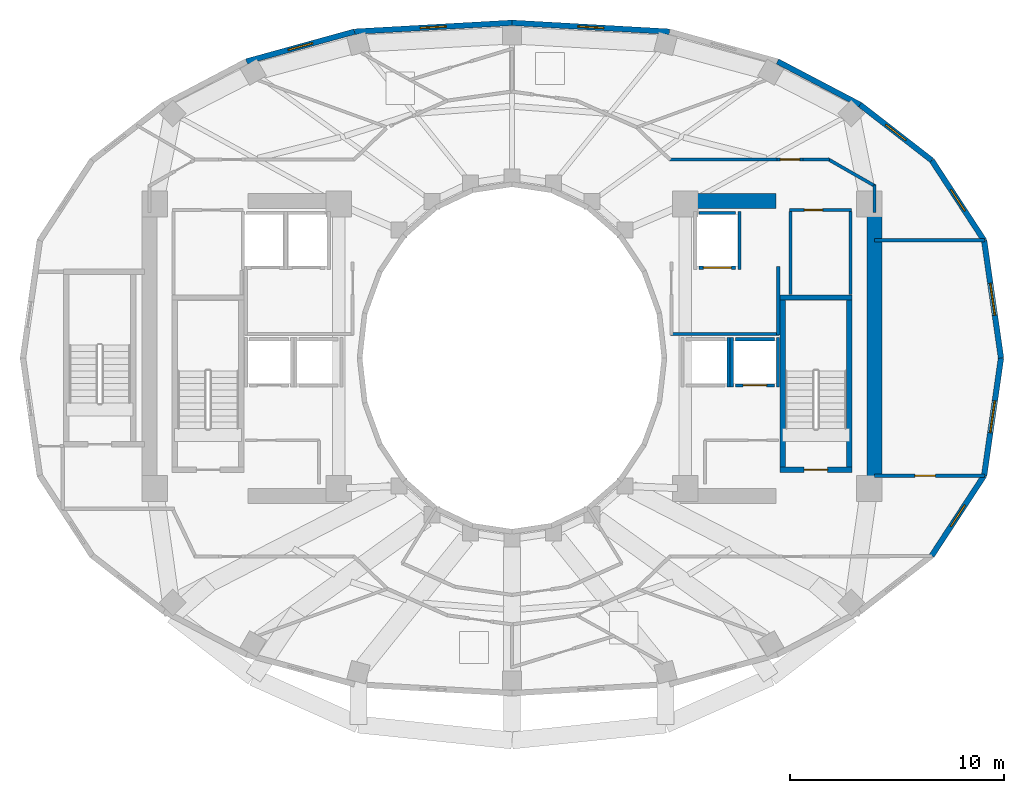
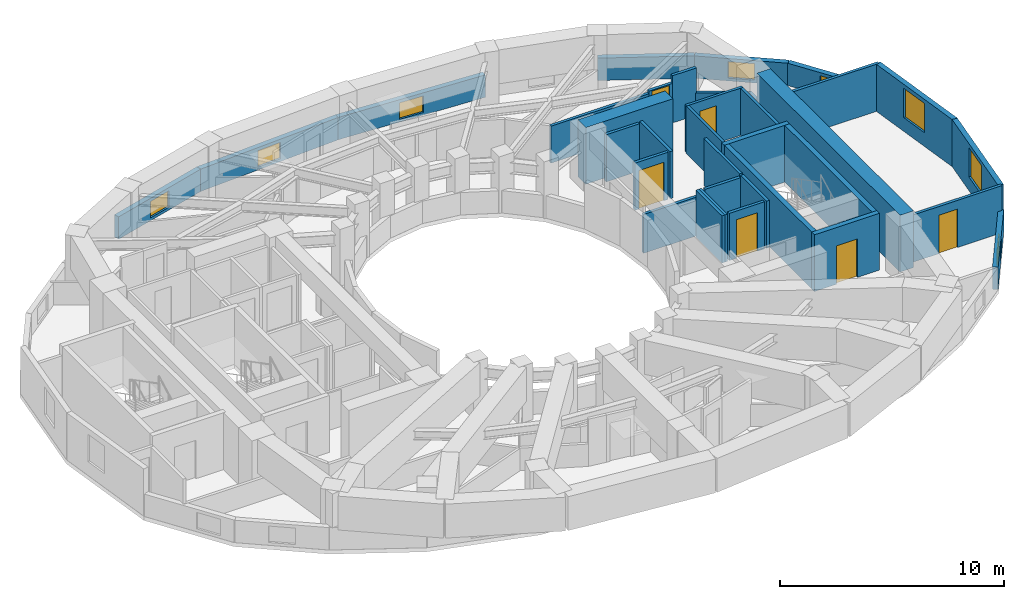
# One storey, part 6 of 9: 35 walls, 8 windows, 6 doors, 14 openings.
"""IFC4 building model written with IfcOpenShell, lengths in metres."""

from ifc_helpers import new_model, si_unit, direction, frame, frame_2d, origin, place, context, subcontext, project, spatial, rectangle, extrude, material, layer, layer_set, type_object, element, fill, save


model = new_model("IFC4")

# Units and contexts
model_context = context("Model", 3, precision=1e-05, world=origin(), true_north=direction((0.0, 1.0)))
body_context = subcontext(model_context, "Body", "Model", "MODEL_VIEW")
ifc_project = project(units=[si_unit("LENGTHUNIT", "METRE"), si_unit("AREAUNIT", "SQUARE_METRE"), si_unit("VOLUMEUNIT", "CUBIC_METRE"), si_unit("PLANEANGLEUNIT", "RADIAN"), si_unit("MASSUNIT", "GRAM", prefix="KILO")], contexts=[model_context])

# Site, building, storey
site_placement = place(None, origin())
site = spatial("IfcSite", under=ifc_project, at=site_placement, CompositionType="ELEMENT")
building_placement = place(site_placement, origin())
building = spatial("IfcBuilding", under=site, at=building_placement, Name="Solvane Sanctuary Tower", CompositionType="ELEMENT")
storey_placement = place(building_placement, frame((0.0, 0.0, 168.39990234375)))
storey = spatial("IfcBuildingStorey", under=building, at=storey_placement, Name="L51", CompositionType="ELEMENT", Elevation=168.39990234375)

# Walls
ifc_material_1 = material(Name="Concrete C60/75", Category="concrete")
ifc_layer_1 = layer(ifc_material_1, 0.699951171875, Name="Concrete C60/75")
ifc_layer_set_1 = layer_set([ifc_layer_1], Name="Concrete C60/75")
wall_type_1 = type_object("IfcWallType", Name="Wall W-CORE-700", PredefinedType="SHEAR", material=ifc_layer_set_1)
wall_1_placement = place(storey_placement, frame((48.949951171875, 17.050048828125, 0.0), z_axis=(0.0, 0.0, 1.0), x_axis=(0.0, 1.0, 0.0)))
element("IfcWall", 1, at=wall_1_placement, inside=storey, type_object=wall_type_1, Name="L51 Core Shear Wall EC-E", PredefinedType="SHEAR", context=body_context, shape_type="SweptSolid", body=[
    extrude(rectangle(XDim=12.800048828125, YDim=0.699951171875, at=frame_2d((6.39990234375, 0.0))), origin(), (0.0, 0.0, 1.0), 3.10009765625),
])
wall_2_placement = place(storey_placement, frame((39.85009765625, 30.35009765625, 0.0), z_axis=(0.0, 0.0, 1.0), x_axis=(1.0, 0.0, 0.0)))
element("IfcWall", 2, at=wall_2_placement, inside=storey, type_object=wall_type_1, Name="L51 Core Shear Wall EC-N", PredefinedType="SHEAR", context=body_context, shape_type="SweptSolid", body=[
    extrude(rectangle(XDim=4.5, YDim=0.699951171875, at=frame_2d((2.25, 0.0))), origin(), (0.0, 0.0, 1.0), 3.10009765625),
])
ifc_material_2 = material(Name="Acoustic Gypsum Partition Board")
ifc_layer_2 = layer(ifc_material_2, 0.14990234375, Name="Acoustic Gypsum Partition Board")
ifc_layer_set_2 = layer_set([ifc_layer_2], Name="Acoustic Gypsum Partition Board")
wall_type_2 = type_object("IfcWallType", Name="Wall W-CORR-150", PredefinedType="PARTITIONING", material=ifc_layer_set_2)
wall_3_placement = place(storey_placement, frame((39.39990234375, 24.1201171875, 0.0), z_axis=(0.0, 0.0, 1.0), x_axis=(1.0, 0.0, 0.0)))
element("IfcWall", 3, at=wall_3_placement, inside=storey, type_object=wall_type_2, Name="L51 East Firefighting Lobby South Wall", PredefinedType="PARTITIONING", context=body_context, shape_type="SweptSolid", body=[
    extrude(rectangle(XDim=5.080078125, YDim=0.14990234375, at=frame_2d((2.5400390625, 0.0))), origin(), (0.0, 0.0, 1.0), 2.1201171875),
])
wall_4_placement = place(storey_placement, frame((44.449951171875, 24.080078125, 0.0), z_axis=(0.0, 0.0, 1.0), x_axis=(0.0, 1.0, 0.0)))
element("IfcWall", 4, at=wall_4_placement, inside=storey, type_object=wall_type_2, Name="L51 East Firefighting Lobby East Wall", PredefinedType="PARTITIONING", context=body_context, shape_type="SweptSolid", body=[
    extrude(rectangle(XDim=3.199951171875, YDim=0.14990234375, at=frame_2d((1.60009765625, 0.0))), origin(), (0.0, 0.0, 1.0), 2.5751953125),
])

# Wall, opening, door
wall_5_placement = place(storey_placement, frame((48.949951171875, 17.4970703125, 0.0), z_axis=(0.0, 0.0, 1.0), x_axis=(1.0, 0.0, 0.0)))
wall_5 = element("IfcWall", 5, at=wall_5_placement, inside=storey, type_object=wall_type_2, Name="L51 East Shoulder South Wall", PredefinedType="PARTITIONING", context=body_context, shape_type="SweptSolid", body=[
    extrude(rectangle(XDim=5.14013671875, YDim=0.14990234375, at=frame_2d((2.570068359375, 0.0))), origin(), (0.0, 0.0, 1.0), 2.5751953125),
])
opening_1_placement = place(wall_5_placement, frame((1.888671875, 0.0, 0.0)))
opening_1 = element("IfcOpeningElement", 6, at=opening_1_placement, cuts=wall_5, Name="Opening D-L51-10", PredefinedType="OPENING", context=body_context, shape_type="SweptSolid", body=[
    extrude(rectangle(XDim=0.949951171875, YDim=2.10009765625, at=frame_2d((0.47509765625, 1.050048828125))), frame((0.0, 0.0849609375, 0.0), z_axis=(0.0, -1.0, 0.0), x_axis=(1.0, 0.0, 0.0)), (0.0, 0.0, 1.0), 0.169921875),
])
ifc_material_3 = material(Name="Engineered Tropical Hardwood", Category="wood")
door_type_1 = type_object("IfcDoorType", Name="Door D-ROOM-950", OperationType="NOTDEFINED", PredefinedType="DOOR", material=ifc_material_3)
door_1_placement = place(opening_1_placement, origin())
door_1 = element("IfcDoor", 7, at=door_1_placement, inside=storey, type_object=door_type_1, Name="L51 East Shoulder South Door", OperationType="SINGLE_SWING_RIGHT", OverallHeight=2.10009765625, OverallWidth=0.949951171875, PredefinedType="DOOR", context=body_context, shape_type="SweptSolid", body=[
    extrude(rectangle(XDim=0.949951171875, YDim=2.10009765625, at=frame_2d((0.47509765625, 1.050048828125))), frame((0.0, 0.02490234375, 0.0), z_axis=(0.0, -1.0, 0.0), x_axis=(1.0, 0.0, 0.0)), (0.0, 0.0, 1.0), 0.050048828125),
])
fill(opening_1, door_1)

# Walls
wall_6_placement = place(storey_placement, frame((48.949951171875, 28.5029296875, 0.0), z_axis=(0.0, 0.0, 1.0), x_axis=(1.0, 0.0, 0.0)))
element("IfcWall", 8, at=wall_6_placement, inside=storey, type_object=wall_type_2, Name="L51 East Shoulder North Wall", PredefinedType="PARTITIONING", context=body_context, shape_type="SweptSolid", body=[
    extrude(rectangle(XDim=5.14013671875, YDim=0.14990234375, at=frame_2d((2.570068359375, 0.0))), origin(), (0.0, 0.0, 1.0), 2.5751953125),
])
wall_7_placement = place(storey_placement, frame((48.949951171875, 29.800048828125, 0.0), z_axis=(0.0, 0.0, 1.0), x_axis=(0.0, 1.0, 0.0)))
element("IfcWall", 9, at=wall_7_placement, inside=storey, type_object=wall_type_2, Name="L51 NE Corner Closer 1", PredefinedType="PARTITIONING", context=body_context, shape_type="SweptSolid", body=[
    extrude(rectangle(XDim=1.2900390625, YDim=0.14990234375, at=frame_2d((0.64501953125, 0.0))), origin(), (0.0, 0.0, 1.0), 1.22021484375),
])
wall_8_placement = place(storey_placement, frame((39.330078125, 32.280029296875, 0.0), z_axis=(0.0, 0.0, 1.0), x_axis=(1.0, 0.0, 0.0)))
element("IfcWall", 10, at=wall_8_placement, inside=storey, type_object=wall_type_2, Name="L51 NE Corner Corridor Wall", PredefinedType="PARTITIONING", context=body_context, shape_type="SweptSolid", body=[
    extrude(rectangle(XDim=5.059814453125, YDim=0.14990234375, at=frame_2d((2.52978515625, 0.0))), origin(), (0.0, 0.0, 1.0), 2.01904296875),
])

# Wall, opening, door
wall_9_placement = place(storey_placement, frame((44.389892578125, 32.280029296875, 0.0), z_axis=(0.0, 0.0, 1.0), x_axis=(1.0, 0.0, 0.0)))
wall_9 = element("IfcWall", 11, at=wall_9_placement, inside=storey, type_object=wall_type_2, Name="L51 NE Corner Corridor Wall", PredefinedType="PARTITIONING", context=body_context, shape_type="SweptSolid", body=[
    extrude(rectangle(XDim=1.22021484375, YDim=0.14990234375, at=frame_2d((0.610107421875, 0.0))), origin(), (0.0, 0.0, 1.0), 2.16015625),
])
opening_2_placement = place(wall_9_placement, frame((0.159912109375, 0.0, 0.0)))
opening_2 = element("IfcOpeningElement", 12, at=opening_2_placement, cuts=wall_9, Name="Opening D-L51-11", PredefinedType="OPENING", context=body_context, shape_type="SweptSolid", body=[
    extrude(rectangle(XDim=0.89990234375, YDim=2.10009765625, at=frame_2d((0.449951171875, 1.050048828125))), frame((0.0, 0.0849609375, 0.0), z_axis=(0.0, -1.0, 0.0), x_axis=(1.0, 0.0, 0.0)), (0.0, 0.0, 1.0), 0.169921875),
])
door_type_2 = type_object("IfcDoorType", Name="Door D-WET-900", OperationType="NOTDEFINED", PredefinedType="DOOR", material=ifc_material_3)
door_2_placement = place(opening_2_placement, origin())
door_2 = element("IfcDoor", 13, at=door_2_placement, inside=storey, type_object=door_type_2, Name="L51 NE Corner Salon Door", OperationType="SINGLE_SWING_LEFT", OverallHeight=2.10009765625, OverallWidth=0.89990234375, PredefinedType="DOOR", context=body_context, shape_type="SweptSolid", body=[
    extrude(rectangle(XDim=0.89990234375, YDim=2.10009765625, at=frame_2d((0.449951171875, 1.050048828125))), frame((0.0, 0.02490234375, 0.0), z_axis=(0.0, -1.0, 0.0), x_axis=(1.0, 0.0, 0.0)), (0.0, 0.0, 1.0), 0.050048828125),
])
fill(opening_2, door_2)

# Walls
wall_10_placement = place(storey_placement, frame((45.610107421875, 32.280029296875, 0.0), z_axis=(0.0, 0.0, 1.0), x_axis=(1.0, 0.0, 0.0)))
element("IfcWall", 14, at=wall_10_placement, inside=storey, type_object=wall_type_2, Name="L51 NE Corner Corridor Wall", PredefinedType="PARTITIONING", context=body_context, shape_type="SweptSolid", body=[
    extrude(rectangle(XDim=1.239990234375, YDim=0.14990234375, at=frame_2d((0.6201171875, 0.0))), origin(), (0.0, 0.0, 1.0), 2.5751953125),
])
wall_11_placement = place(storey_placement, frame((46.756591796875, 32.3046875, 0.0), z_axis=(0.0, 0.0, 1.0), x_axis=(0.867991349648, -0.496579315857, 0.0)))
element("IfcWall", 15, at=wall_11_placement, inside=storey, type_object=wall_type_2, Name="L51 NE Corner Wing Wall", PredefinedType="PARTITIONING", context=body_context, shape_type="SweptSolid", body=[
    extrude(rectangle(XDim=2.56689453125, YDim=0.14990234375, at=frame_2d((1.283447265625, 0.0))), origin(), (0.0, 0.0, 1.0), 1.22021484375),
])

# Wall, opening, window
ifc_material_4 = material(Name="Precast concrete C40/50", Category="concrete")
ifc_layer_3 = layer(ifc_material_4, 0.260009765625, Name="Precast concrete C40/50")
ifc_layer_set_3 = layer_set([ifc_layer_3], Name="Precast concrete C40/50")
wall_type_3 = type_object("IfcWallType", Name="Wall W-EXT-250", PredefinedType="STANDARD", material=ifc_layer_set_3)
wall_12_placement = place(storey_placement, frame((54.860107421875, 23.0, 0.0), z_axis=(0.0, 0.0, 1.0), x_axis=(-0.142227632286, 0.989833976288, 0.0)))
wall_12 = element("IfcWall", 16, at=wall_12_placement, inside=storey, type_object=wall_type_3, Name="L51 Ceramic-Printed Facade Wall 00", PredefinedType="STANDARD", context=body_context, shape_type="SweptSolid", body=[
    extrude(rectangle(XDim=5.552978515625, YDim=0.260009765625, at=frame_2d((2.7763671875, 0.0))), origin(), (0.0, 0.0, 1.0), 2.570068359375),
])
opening_3_placement = place(wall_12_placement, frame((2.026611328125, 0.0, 0.75)))
opening_3 = element("IfcOpeningElement", 17, at=opening_3_placement, cuts=wall_12, Name="Opening WN-OPER-1500", PredefinedType="OPENING", context=body_context, shape_type="SweptSolid", body=[
    extrude(rectangle(XDim=1.5, YDim=1.60009765625, at=frame_2d((0.75, 0.800048828125))), frame((0.0, 0.139892578125, 0.0), z_axis=(0.0, -1.0, 0.0), x_axis=(1.0, 0.0, 0.0)), (0.0, 0.0, 1.0), 0.280029296875),
])
ifc_material_5 = material(Name="Dark Ceramic-Fritted Low-E Glass", Category="glass")
window_type_1 = type_object("IfcWindowType", Name="Window WN-OPER-1500", PartitioningType="SINGLE_PANEL", PredefinedType="WINDOW", material=ifc_material_5)
window_1_placement = place(opening_3_placement, origin())
window_1 = element("IfcWindow", 18, at=window_1_placement, inside=storey, type_object=window_type_1, Name="L51 Operable Facade Window 00", OverallHeight=1.60009765625, OverallWidth=1.5, PartitioningType="SINGLE_PANEL", PredefinedType="WINDOW", context=body_context, shape_type="SweptSolid", body=[
    extrude(rectangle(XDim=1.5, YDim=1.60009765625, at=frame_2d((0.75, 0.800048828125))), frame((0.0, 0.030029296875, 0.0), z_axis=(0.0, -1.0, 0.0), x_axis=(1.0, 0.0, 0.0)), (0.0, 0.0, 1.0), 0.06005859375),
])
fill(opening_3, window_1)

wall_13_placement = place(storey_placement, frame((54.0703125, 28.49658203125, 0.0), z_axis=(0.0, 0.0, 1.0), x_axis=(-0.547456494366, 0.836834145322, 0.0)))
wall_13 = element("IfcWall", 19, at=wall_13_placement, inside=storey, type_object=wall_type_3, Name="L51 Ceramic-Printed Facade Wall 01", PredefinedType="STANDARD", context=body_context, shape_type="SweptSolid", body=[
    extrude(rectangle(XDim=4.477294921875, YDim=0.260009765625, at=frame_2d((2.23876953125, 0.0))), origin(), (0.0, 0.0, 1.0), 1.22021484375),
])
opening_4_placement = place(wall_13_placement, frame((1.638671875, 0.0, 0.14990234375)))
opening_4 = element("IfcOpeningElement", 20, at=opening_4_placement, cuts=wall_13, Name="Opening WN-OPER-1200", PredefinedType="OPENING", context=body_context, shape_type="SweptSolid", body=[
    extrude(rectangle(XDim=1.199951171875, YDim=0.89990234375, at=frame_2d((0.60009765625, 0.449951171875))), frame((0.0, 0.139892578125, 0.0), z_axis=(0.0, -1.0, 0.0), x_axis=(1.0, 0.0, 0.0)), (0.0, 0.0, 1.0), 0.280029296875),
])
window_type_2 = type_object("IfcWindowType", Name="Window WN-OPER-1200", PartitioningType="SINGLE_PANEL", PredefinedType="WINDOW", material=ifc_material_5)
window_2_placement = place(opening_4_placement, origin())
window_2 = element("IfcWindow", 21, at=window_2_placement, inside=storey, type_object=window_type_2, Name="L51 Operable Facade Window 01", OverallHeight=0.89990234375, OverallWidth=1.199951171875, PartitioningType="SINGLE_PANEL", PredefinedType="WINDOW", context=body_context, shape_type="SweptSolid", body=[
    extrude(rectangle(XDim=1.199951171875, YDim=0.89990234375, at=frame_2d((0.60009765625, 0.449951171875))), frame((0.0, 0.030029296875, 0.0), z_axis=(0.0, -1.0, 0.0), x_axis=(1.0, 0.0, 0.0)), (0.0, 0.0, 1.0), 0.06005859375),
])
fill(opening_4, window_2)

wall_14_placement = place(storey_placement, frame((51.619140625, 32.243408203125, 0.0), z_axis=(0.0, 0.0, 1.0), x_axis=(-0.790185650662, 0.612867552973, 0.0)))
wall_14 = element("IfcWall", 22, at=wall_14_placement, inside=storey, type_object=wall_type_3, Name="L51 Ceramic-Printed Facade Wall 02", PredefinedType="STANDARD", context=body_context, shape_type="SweptSolid", body=[
    extrude(rectangle(XDim=4.2392578125, YDim=0.260009765625, at=frame_2d((2.11962890625, 0.0))), origin(), (0.0, 0.0, 1.0), 1.22021484375),
])
opening_5_placement = place(wall_14_placement, frame((1.51953125, 0.0, 0.14990234375)))
opening_5 = element("IfcOpeningElement", 23, at=opening_5_placement, cuts=wall_14, Name="Opening WN-OPER-1200", PredefinedType="OPENING", context=body_context, shape_type="SweptSolid", body=[
    extrude(rectangle(XDim=1.199951171875, YDim=0.89990234375, at=frame_2d((0.60009765625, 0.449951171875))), frame((0.0, 0.139892578125, 0.0), z_axis=(0.0, -1.0, 0.0), x_axis=(1.0, 0.0, 0.0)), (0.0, 0.0, 1.0), 0.280029296875),
])
window_3_placement = place(opening_5_placement, origin())
window_3 = element("IfcWindow", 24, at=window_3_placement, inside=storey, type_object=window_type_2, Name="L51 Operable Facade Window 02", OverallHeight=0.89990234375, OverallWidth=1.199951171875, PartitioningType="SINGLE_PANEL", PredefinedType="WINDOW", context=body_context, shape_type="SweptSolid", body=[
    extrude(rectangle(XDim=1.199951171875, YDim=0.89990234375, at=frame_2d((0.60009765625, 0.449951171875))), frame((0.0, 0.030029296875, 0.0), z_axis=(0.0, -1.0, 0.0), x_axis=(1.0, 0.0, 0.0)), (0.0, 0.0, 1.0), 0.06005859375),
])
fill(opening_5, window_3)

# Wall
wall_15_placement = place(storey_placement, frame((48.269287109375, 34.841552734375, 0.0), z_axis=(0.0, 0.0, 1.0), x_axis=(-0.885660265226, 0.464333818065, 0.0)))
element("IfcWall", 25, at=wall_15_placement, inside=storey, type_object=wall_type_3, Name="L51 Ceramic-Printed Facade Wall 03", PredefinedType="STANDARD", context=body_context, shape_type="SweptSolid", body=[
    extrude(rectangle(XDim=4.35400390625, YDim=0.260009765625, at=frame_2d((2.177001953125, 0.0))), origin(), (0.0, 0.0, 1.0), 1.22021484375),
])

# Wall, opening, window
wall_16_placement = place(storey_placement, frame((39.365234375, 38.256591796875, 0.0), z_axis=(0.0, 0.0, 1.0), x_axis=(-0.998417906562, 0.056228852534, 0.0)))
wall_16 = element("IfcWall", 26, at=wall_16_placement, inside=storey, type_object=wall_type_3, Name="L51 Ceramic-Printed Facade Wall 05", PredefinedType="STANDARD", context=body_context, shape_type="SweptSolid", body=[
    extrude(rectangle(XDim=7.376953125, YDim=0.260009765625, at=frame_2d((3.6884765625, 0.0))), origin(), (0.0, 0.0, 1.0), 1.22021484375),
])
opening_6_placement = place(wall_16_placement, frame((3.08837890625, 0.0, 0.14990234375)))
opening_6 = element("IfcOpeningElement", 27, at=opening_6_placement, cuts=wall_16, Name="Opening WN-OPER-1200", PredefinedType="OPENING", context=body_context, shape_type="SweptSolid", body=[
    extrude(rectangle(XDim=1.199951171875, YDim=0.89990234375, at=frame_2d((0.60009765625, 0.449951171875))), frame((0.0, 0.139892578125, 0.0), z_axis=(0.0, -1.0, 0.0), x_axis=(1.0, 0.0, 0.0)), (0.0, 0.0, 1.0), 0.280029296875),
])
window_4_placement = place(opening_6_placement, origin())
window_4 = element("IfcWindow", 28, at=window_4_placement, inside=storey, type_object=window_type_2, Name="L51 Operable Facade Window 05", OverallHeight=0.89990234375, OverallWidth=1.199951171875, PartitioningType="SINGLE_PANEL", PredefinedType="WINDOW", context=body_context, shape_type="SweptSolid", body=[
    extrude(rectangle(XDim=1.199951171875, YDim=0.89990234375, at=frame_2d((0.60009765625, 0.449951171875))), frame((0.0, 0.030029296875, 0.0), z_axis=(0.0, -1.0, 0.0), x_axis=(1.0, 0.0, 0.0)), (0.0, 0.0, 1.0), 0.06005859375),
])
fill(opening_6, window_4)

wall_17_placement = place(storey_placement, frame((32.0, 38.67138671875, 0.0), z_axis=(0.0, 0.0, 1.0), x_axis=(-0.998417906562, -0.056228852534, 0.0)))
wall_17 = element("IfcWall", 29, at=wall_17_placement, inside=storey, type_object=wall_type_3, Name="L51 Ceramic-Printed Facade Wall 06", PredefinedType="STANDARD", context=body_context, shape_type="SweptSolid", body=[
    extrude(rectangle(XDim=7.376953125, YDim=0.260009765625, at=frame_2d((3.6884765625, 0.0))), origin(), (0.0, 0.0, 1.0), 1.22021484375),
])
opening_7_placement = place(wall_17_placement, frame((3.08837890625, 0.0, 0.14990234375)))
opening_7 = element("IfcOpeningElement", 30, at=opening_7_placement, cuts=wall_17, Name="Opening WN-OPER-1200", PredefinedType="OPENING", context=body_context, shape_type="SweptSolid", body=[
    extrude(rectangle(XDim=1.199951171875, YDim=0.89990234375, at=frame_2d((0.60009765625, 0.449951171875))), frame((0.0, 0.139892578125, 0.0), z_axis=(0.0, -1.0, 0.0), x_axis=(1.0, 0.0, 0.0)), (0.0, 0.0, 1.0), 0.280029296875),
])
window_5_placement = place(opening_7_placement, origin())
window_5 = element("IfcWindow", 31, at=window_5_placement, inside=storey, type_object=window_type_2, Name="L51 Operable Facade Window 06", OverallHeight=0.89990234375, OverallWidth=1.199951171875, PartitioningType="SINGLE_PANEL", PredefinedType="WINDOW", context=body_context, shape_type="SweptSolid", body=[
    extrude(rectangle(XDim=1.199951171875, YDim=0.89990234375, at=frame_2d((0.60009765625, 0.449951171875))), frame((0.0, 0.030029296875, 0.0), z_axis=(0.0, -1.0, 0.0), x_axis=(1.0, 0.0, 0.0)), (0.0, 0.0, 1.0), 0.06005859375),
])
fill(opening_7, window_5)

wall_18_placement = place(storey_placement, frame((24.634765625, 38.256591796875, 0.0), z_axis=(0.0, 0.0, 1.0), x_axis=(-0.963953455704, -0.26607092144, 0.0)))
wall_18 = element("IfcWall", 32, at=wall_18_placement, inside=storey, type_object=wall_type_3, Name="L51 Ceramic-Printed Facade Wall 07", PredefinedType="STANDARD", context=body_context, shape_type="SweptSolid", body=[
    extrude(rectangle(XDim=5.236572265625, YDim=0.260009765625, at=frame_2d((2.6181640625, 0.0))), origin(), (0.0, 0.0, 1.0), 1.22021484375),
])
opening_8_placement = place(wall_18_placement, frame((2.018310546875, 0.0, 0.14990234375)))
opening_8 = element("IfcOpeningElement", 33, at=opening_8_placement, cuts=wall_18, Name="Opening WN-OPER-1200", PredefinedType="OPENING", context=body_context, shape_type="SweptSolid", body=[
    extrude(rectangle(XDim=1.199951171875, YDim=0.89990234375, at=frame_2d((0.60009765625, 0.449951171875))), frame((0.0, 0.139892578125, 0.0), z_axis=(0.0, -1.0, 0.0), x_axis=(1.0, 0.0, 0.0)), (0.0, 0.0, 1.0), 0.280029296875),
])
window_6_placement = place(opening_8_placement, origin())
window_6 = element("IfcWindow", 34, at=window_6_placement, inside=storey, type_object=window_type_2, Name="L51 Operable Facade Window 07", OverallHeight=0.89990234375, OverallWidth=1.199951171875, PartitioningType="SINGLE_PANEL", PredefinedType="WINDOW", context=body_context, shape_type="SweptSolid", body=[
    extrude(rectangle(XDim=1.199951171875, YDim=0.89990234375, at=frame_2d((0.60009765625, 0.449951171875))), frame((0.0, 0.030029296875, 0.0), z_axis=(0.0, -1.0, 0.0), x_axis=(1.0, 0.0, 0.0)), (0.0, 0.0, 1.0), 0.06005859375),
])
fill(opening_8, window_6)

wall_19_placement = place(storey_placement, frame((51.619140625, 13.756591796875, 0.0), z_axis=(0.0, 0.0, 1.0), x_axis=(0.547456494366, 0.836834145322, 0.0)))
wall_19 = element("IfcWall", 35, at=wall_19_placement, inside=storey, type_object=wall_type_3, Name="L51 Ceramic-Printed Facade Wall 22", PredefinedType="STANDARD", context=body_context, shape_type="SweptSolid", body=[
    extrude(rectangle(XDim=4.477294921875, YDim=0.260009765625, at=frame_2d((2.23876953125, 0.0))), origin(), (0.0, 0.0, 1.0), 1.22021484375),
])
opening_9_placement = place(wall_19_placement, frame((1.638671875, 0.0, 0.14990234375)))
opening_9 = element("IfcOpeningElement", 36, at=opening_9_placement, cuts=wall_19, Name="Opening WN-OPER-1200", PredefinedType="OPENING", context=body_context, shape_type="SweptSolid", body=[
    extrude(rectangle(XDim=1.199951171875, YDim=0.89990234375, at=frame_2d((0.60009765625, 0.449951171875))), frame((0.0, 0.139892578125, 0.0), z_axis=(0.0, -1.0, 0.0), x_axis=(1.0, 0.0, 0.0)), (0.0, 0.0, 1.0), 0.280029296875),
])
window_7_placement = place(opening_9_placement, origin())
window_7 = element("IfcWindow", 37, at=window_7_placement, inside=storey, type_object=window_type_2, Name="L51 Operable Facade Window 22", OverallHeight=0.89990234375, OverallWidth=1.199951171875, PartitioningType="SINGLE_PANEL", PredefinedType="WINDOW", context=body_context, shape_type="SweptSolid", body=[
    extrude(rectangle(XDim=1.199951171875, YDim=0.89990234375, at=frame_2d((0.60009765625, 0.449951171875))), frame((0.0, 0.030029296875, 0.0), z_axis=(0.0, -1.0, 0.0), x_axis=(1.0, 0.0, 0.0)), (0.0, 0.0, 1.0), 0.06005859375),
])
fill(opening_9, window_7)

wall_20_placement = place(storey_placement, frame((54.0703125, 17.50341796875, 0.0), z_axis=(0.0, 0.0, 1.0), x_axis=(0.142227632286, 0.989833976288, 0.0)))
wall_20 = element("IfcWall", 38, at=wall_20_placement, inside=storey, type_object=wall_type_3, Name="L51 Ceramic-Printed Facade Wall 23", PredefinedType="STANDARD", context=body_context, shape_type="SweptSolid", body=[
    extrude(rectangle(XDim=5.552978515625, YDim=0.260009765625, at=frame_2d((2.7763671875, 0.0))), origin(), (0.0, 0.0, 1.0), 2.570068359375),
])
opening_10_placement = place(wall_20_placement, frame((2.026611328125, 0.0, 0.75)))
opening_10 = element("IfcOpeningElement", 39, at=opening_10_placement, cuts=wall_20, Name="Opening WN-OPER-1500", PredefinedType="OPENING", context=body_context, shape_type="SweptSolid", body=[
    extrude(rectangle(XDim=1.5, YDim=1.60009765625, at=frame_2d((0.75, 0.800048828125))), frame((0.0, 0.139892578125, 0.0), z_axis=(0.0, -1.0, 0.0), x_axis=(1.0, 0.0, 0.0)), (0.0, 0.0, 1.0), 0.280029296875),
])
window_8_placement = place(opening_10_placement, origin())
window_8 = element("IfcWindow", 40, at=window_8_placement, inside=storey, type_object=window_type_1, Name="L51 Operable Facade Window 23", OverallHeight=1.60009765625, OverallWidth=1.5, PartitioningType="SINGLE_PANEL", PredefinedType="WINDOW", context=body_context, shape_type="SweptSolid", body=[
    extrude(rectangle(XDim=1.5, YDim=1.60009765625, at=frame_2d((0.75, 0.800048828125))), frame((0.0, 0.030029296875, 0.0), z_axis=(0.0, -1.0, 0.0), x_axis=(1.0, 0.0, 0.0)), (0.0, 0.0, 1.0), 0.06005859375),
])
fill(opening_10, window_8)

# Wall, opening, door
ifc_material_6 = material(Name="Concrete C50/60", Category="concrete")
ifc_layer_4 = layer(ifc_material_6, 0.14990234375, Name="Concrete C50/60")
ifc_layer_set_4 = layer_set([ifc_layer_4], Name="Concrete C50/60")
wall_type_4 = type_object("IfcWallType", Name="Wall W-SHAFT-150", PredefinedType="SOLIDWALL", material=ifc_layer_set_4)
wall_21_placement = place(storey_placement, frame((42.43994140625, 21.719970703125, 0.0), z_axis=(0.0, 0.0, 1.0), x_axis=(1.0, 0.0, 0.0)))
wall_21 = element("IfcWall", 41, at=wall_21_placement, inside=storey, type_object=wall_type_4, Name="L51 PM-2 Lift Shaft Wall F", PredefinedType="SOLIDWALL", context=body_context, shape_type="SweptSolid", body=[
    extrude(rectangle(XDim=1.820068359375, YDim=0.14990234375, at=frame_2d((0.91015625, 0.0))), origin(), (0.0, 0.0, 1.0), 2.5751953125),
])
opening_11_placement = place(wall_21_placement, frame((0.360107421875, 0.0, 0.0)))
opening_11 = element("IfcOpeningElement", 42, at=opening_11_placement, cuts=wall_21, Name="Opening LD-L51-02", PredefinedType="OPENING", context=body_context, shape_type="SweptSolid", body=[
    extrude(rectangle(XDim=1.10009765625, YDim=2.10009765625, at=frame_2d((0.550048828125, 1.050048828125))), frame((0.0, 0.0849609375, 0.0), z_axis=(0.0, -1.0, 0.0), x_axis=(1.0, 0.0, 0.0)), (0.0, 0.0, 1.0), 0.169921875),
])
ifc_material_7 = material(Name="Architectural Stainless Steel 316", Category="steel")
door_type_3 = type_object("IfcDoorType", Name="Door LD-PASS-1100", OperationType="NOTDEFINED", PredefinedType="DOOR", material=ifc_material_7)
door_3_placement = place(opening_11_placement, origin())
door_3 = element("IfcDoor", 43, at=door_3_placement, inside=storey, type_object=door_type_3, Name="L51 PM-2 Lift Landing Door", OperationType="DOUBLE_DOOR_SLIDING", OverallHeight=2.10009765625, OverallWidth=1.10009765625, PredefinedType="DOOR", context=body_context, shape_type="SweptSolid", body=[
    extrude(rectangle(XDim=1.10009765625, YDim=2.10009765625, at=frame_2d((0.550048828125, 1.050048828125))), frame((0.0, 0.02490234375, 0.0), z_axis=(0.0, -1.0, 0.0), x_axis=(1.0, 0.0, 0.0)), (0.0, 0.0, 1.0), 0.050048828125),
])
fill(opening_11, door_3)

# Walls
wall_22_placement = place(storey_placement, frame((42.43994140625, 23.8798828125, 0.0), z_axis=(0.0, 0.0, 1.0), x_axis=(1.0, 0.0, 0.0)))
element("IfcWall", 44, at=wall_22_placement, inside=storey, type_object=wall_type_4, Name="L51 PM-2 Lift Shaft Wall B", PredefinedType="SOLIDWALL", context=body_context, shape_type="SweptSolid", body=[
    extrude(rectangle(XDim=1.820068359375, YDim=0.14990234375, at=frame_2d((0.91015625, 0.0))), origin(), (0.0, 0.0, 1.0), 2.5751953125),
])
for number, where, z_axis, x_axis, name in (
    (45, (42.27001953125, 21.639892578125, 0.0), (0.0, 0.0, 1.0), (0.0, 1.0, 0.0), "L51 PM-2 Lift Shaft Wall S1"),
    (46, (44.429931640625, 21.639892578125, 0.0), (0.0, 0.0, 1.0), (0.0, 1.0, 0.0), "L51 PM-2 Lift Shaft Wall S2"),
    (47, (42.1298828125, 21.639892578125, 0.0), (0.0, 0.0, 1.0), (0.0, 1.0, 0.0), "L51 PH-2 Lift Shaft Wall S2"),
):
    element("IfcWall", number, at=place(storey_placement, frame(where, z_axis=z_axis, x_axis=x_axis)), inside=storey, type_object=wall_type_4, Name=name, PredefinedType="SOLIDWALL", context=body_context, shape_type="SweptSolid", body=[
        extrude(rectangle(XDim=2.320068359375, YDim=0.14990234375, at=frame_2d((1.16015625, 0.0))), origin(), (0.0, 0.0, 1.0), 2.5751953125),
    ])

# Wall, opening, door
wall_23_placement = place(storey_placement, frame((40.739990234375, 27.219970703125, 0.0), z_axis=(0.0, 0.0, 1.0), x_axis=(1.0, 0.0, 0.0)))
wall_23 = element("IfcWall", 48, at=wall_23_placement, inside=storey, type_object=wall_type_4, Name="L51 FFL-2 Lift Shaft Wall F", PredefinedType="SOLIDWALL", context=body_context, shape_type="SweptSolid", body=[
    extrude(rectangle(XDim=1.719970703125, YDim=0.14990234375, at=frame_2d((0.85986328125, 0.0))), origin(), (0.0, 0.0, 1.0), 2.5751953125),
])
opening_12_placement = place(wall_23_placement, frame((0.2099609375, 0.0, 0.0)))
opening_12 = element("IfcOpeningElement", 49, at=opening_12_placement, cuts=wall_23, Name="Opening LD-L51-05", PredefinedType="OPENING", context=body_context, shape_type="SweptSolid", body=[
    extrude(rectangle(XDim=1.300048828125, YDim=2.10009765625, at=frame_2d((0.64990234375, 1.050048828125))), frame((0.0, 0.0849609375, 0.0), z_axis=(0.0, -1.0, 0.0), x_axis=(1.0, 0.0, 0.0)), (0.0, 0.0, 1.0), 0.169921875),
])
door_type_4 = type_object("IfcDoorType", Name="Door LD-FFL-1300", OperationType="NOTDEFINED", PredefinedType="DOOR", material=ifc_material_7)
door_4_placement = place(opening_12_placement, origin())
door_4 = element("IfcDoor", 50, at=door_4_placement, inside=storey, type_object=door_type_4, Name="L51 FFL-2 Lift Landing Door", OperationType="DOUBLE_DOOR_SLIDING", OverallHeight=2.10009765625, OverallWidth=1.300048828125, PredefinedType="DOOR", context=body_context, shape_type="SweptSolid", body=[
    extrude(rectangle(XDim=1.300048828125, YDim=2.10009765625, at=frame_2d((0.64990234375, 1.050048828125))), frame((0.0, 0.02490234375, 0.0), z_axis=(0.0, -1.0, 0.0), x_axis=(1.0, 0.0, 0.0)), (0.0, 0.0, 1.0), 0.050048828125),
])
fill(opening_12, door_4)

# Walls
wall_24_placement = place(storey_placement, frame((40.739990234375, 29.780029296875, 0.0), z_axis=(0.0, 0.0, 1.0), x_axis=(1.0, 0.0, 0.0)))
element("IfcWall", 51, at=wall_24_placement, inside=storey, type_object=wall_type_4, Name="L51 FFL-2 Lift Shaft Wall B", PredefinedType="SOLIDWALL", context=body_context, shape_type="SweptSolid", body=[
    extrude(rectangle(XDim=1.719970703125, YDim=0.14990234375, at=frame_2d((0.85986328125, 0.0))), origin(), (0.0, 0.0, 1.0), 2.5751953125),
])
wall_25_placement = place(storey_placement, frame((42.6298828125, 27.139892578125, 0.0), z_axis=(0.0, 0.0, 1.0), x_axis=(0.0, 1.0, 0.0)))
element("IfcWall", 52, at=wall_25_placement, inside=storey, type_object=wall_type_4, Name="L51 FFL-2 Lift Shaft Wall S2", PredefinedType="SOLIDWALL", context=body_context, shape_type="SweptSolid", body=[
    extrude(rectangle(XDim=2.72021484375, YDim=0.14990234375, at=frame_2d((1.360107421875, 0.0))), origin(), (0.0, 0.0, 1.0), 2.5751953125),
])

# Wall, opening, door
ifc_layer_5 = layer(ifc_material_6, 0.25, Name="Concrete C50/60")
ifc_layer_set_5 = layer_set([ifc_layer_5], Name="Concrete C50/60")
wall_type_5 = type_object("IfcWallType", Name="Wall W-SHAFT-250", PredefinedType="SOLIDWALL", material=ifc_layer_set_5)
wall_26_placement = place(storey_placement, frame((44.52490234375, 17.77001953125, 0.0), z_axis=(0.0, 0.0, 1.0), x_axis=(1.0, 0.0, 0.0)))
wall_26 = element("IfcWall", 53, at=wall_26_placement, inside=storey, type_object=wall_type_5, Name="L51 ST-2 Load-Bearing Shaft Wall S", PredefinedType="SOLIDWALL", context=body_context, shape_type="SweptSolid", body=[
    extrude(rectangle(XDim=3.3701171875, YDim=0.25, at=frame_2d((1.68505859375, 0.0))), origin(), (0.0, 0.0, 1.0), 3.10009765625),
])
opening_13_placement = place(wall_26_placement, frame((1.135009765625, 0.0, 0.0)))
opening_13 = element("IfcOpeningElement", 54, at=opening_13_placement, cuts=wall_26, Name="Opening D-L51-02", PredefinedType="OPENING", context=body_context, shape_type="SweptSolid", body=[
    extrude(rectangle(XDim=1.10009765625, YDim=2.10009765625, at=frame_2d((0.550048828125, 1.050048828125))), frame((0.0, 0.135009765625, 0.0), z_axis=(0.0, -1.0, 0.0), x_axis=(1.0, 0.0, 0.0)), (0.0, 0.0, 1.0), 0.27001953125),
])
door_type_5 = type_object("IfcDoorType", Name="Door D-STAIR", OperationType="NOTDEFINED", PredefinedType="DOOR", material=ifc_material_7)
door_5_placement = place(opening_13_placement, origin())
door_5 = element("IfcDoor", 55, at=door_5_placement, inside=storey, type_object=door_type_5, Name="L51 ST-2 Exit Stair Fire Door", OperationType="SINGLE_SWING_RIGHT", OverallHeight=2.10009765625, OverallWidth=1.10009765625, PredefinedType="DOOR", context=body_context, shape_type="SweptSolid", body=[
    extrude(rectangle(XDim=1.10009765625, YDim=2.10009765625, at=frame_2d((0.550048828125, 1.050048828125))), frame((0.0, 0.02490234375, 0.0), z_axis=(0.0, -1.0, 0.0), x_axis=(1.0, 0.0, 0.0)), (0.0, 0.0, 1.0), 0.050048828125),
])
fill(opening_13, door_5)

# Walls
wall_27_placement = place(storey_placement, frame((44.52490234375, 25.830078125, 0.0), z_axis=(0.0, 0.0, 1.0), x_axis=(1.0, 0.0, 0.0)))
element("IfcWall", 56, at=wall_27_placement, inside=storey, type_object=wall_type_5, Name="L51 ST-2 Load-Bearing Shaft Wall N", PredefinedType="SOLIDWALL", context=body_context, shape_type="SweptSolid", body=[
    extrude(rectangle(XDim=3.3701171875, YDim=0.25, at=frame_2d((1.68505859375, 0.0))), origin(), (0.0, 0.0, 1.0), 3.10009765625),
])
for number, where, z_axis, x_axis, name in (
    (57, (44.64990234375, 17.89501953125, 0.0), (0.0, 0.0, 1.0), (0.0, 1.0, 0.0), "L51 ST-2 Load-Bearing Shaft Wall W"),
    (58, (47.77001953125, 17.89501953125, 0.0), (0.0, 0.0, 1.0), (0.0, 1.0, 0.0), "L51 ST-2 Load-Bearing Shaft Wall E"),
):
    element("IfcWall", number, at=place(storey_placement, frame(where, z_axis=z_axis, x_axis=x_axis)), inside=storey, type_object=wall_type_5, Name=name, PredefinedType="SOLIDWALL", context=body_context, shape_type="SweptSolid", body=[
        extrude(rectangle(XDim=7.81005859375, YDim=0.25, at=frame_2d((3.905029296875, 0.0))), origin(), (0.0, 0.0, 1.0), 3.10009765625),
    ])

# Wall, opening, door
ifc_layer_6 = layer(ifc_material_2, 0.139892578125, Name="Acoustic Gypsum Partition Board")
ifc_layer_set_6 = layer_set([ifc_layer_6], Name="Acoustic Gypsum Partition Board")
wall_type_6 = type_object("IfcWallType", Name="Wall W-WET-140", PredefinedType="PLUMBINGWALL", material=ifc_layer_set_6)
wall_28_placement = place(storey_placement, frame((44.97998046875, 29.919921875, 0.0), z_axis=(0.0, 0.0, 1.0), x_axis=(1.0, 0.0, 0.0)))
wall_28 = element("IfcWall", 59, at=wall_28_placement, inside=storey, type_object=wall_type_6, Name="L51 Core Service Front Wall KE0", PredefinedType="PLUMBINGWALL", context=body_context, shape_type="SweptSolid", body=[
    extrude(rectangle(XDim=2.89990234375, YDim=0.139892578125, at=frame_2d((1.449951171875, 0.0))), origin(), (0.0, 0.0, 1.0), 2.5751953125),
])
opening_14_placement = place(wall_28_placement, frame((0.685546875, 0.0, 0.0)))
opening_14 = element("IfcOpeningElement", 60, at=opening_14_placement, cuts=wall_28, Name="Opening D-L51-09", PredefinedType="OPENING", context=body_context, shape_type="SweptSolid", body=[
    extrude(rectangle(XDim=0.85009765625, YDim=2.050048828125, at=frame_2d((0.425048828125, 1.02490234375))), frame((0.0, 0.079833984375, 0.0), z_axis=(0.0, -1.0, 0.0), x_axis=(1.0, 0.0, 0.0)), (0.0, 0.0, 1.0), 0.159912109375),
])
door_type_6 = type_object("IfcDoorType", Name="Door D-RISER", OperationType="NOTDEFINED", PredefinedType="DOOR", material=ifc_material_7)
door_6_placement = place(opening_14_placement, origin())
door_6 = element("IfcDoor", 61, at=door_6_placement, inside=storey, type_object=door_type_6, Name="L51 Core Service Room Door KE0-1", OperationType="SINGLE_SWING_LEFT", OverallHeight=2.050048828125, OverallWidth=0.85009765625, PredefinedType="DOOR", context=body_context, shape_type="SweptSolid", body=[
    extrude(rectangle(XDim=0.85009765625, YDim=2.050048828125, at=frame_2d((0.425048828125, 1.02490234375))), frame((0.0, 0.02490234375, 0.0), z_axis=(0.0, -1.0, 0.0), x_axis=(1.0, 0.0, 0.0)), (0.0, 0.0, 1.0), 0.050048828125),
])
fill(opening_14, door_6)

# Walls
for number, where, z_axis, x_axis, name in (
    (62, (45.02001953125, 25.97998046875, 0.0), (0.0, 0.0, 1.0), (0.0, 1.0, 0.0), "L51 Core Service Side Wall KE0-1"),
    (63, (47.820068359375, 25.97998046875, 0.0), (0.0, 0.0, 1.0), (0.0, 1.0, 0.0), "L51 Core Service Side Wall KE0-2"),
):
    element("IfcWall", number, at=place(storey_placement, frame(where, z_axis=z_axis, x_axis=x_axis)), inside=storey, type_object=wall_type_6, Name=name, PredefinedType="PLUMBINGWALL", context=body_context, shape_type="SweptSolid", body=[
        extrude(rectangle(XDim=3.880126953125, YDim=0.139892578125, at=frame_2d((1.93994140625, 0.0))), origin(), (0.0, 0.0, 1.0), 2.5751953125),
    ])

save(model, "model.ifc")
